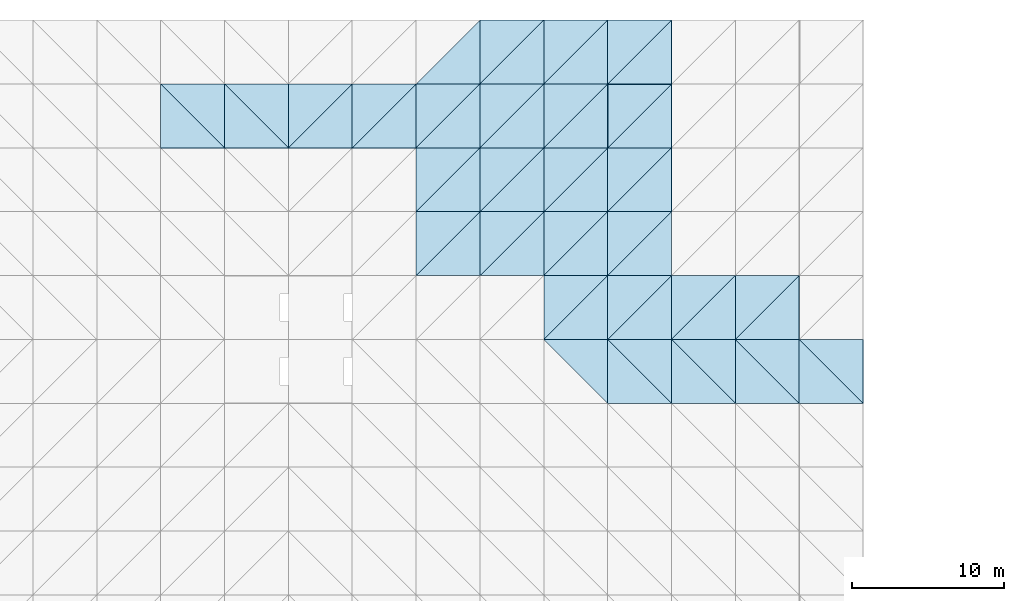
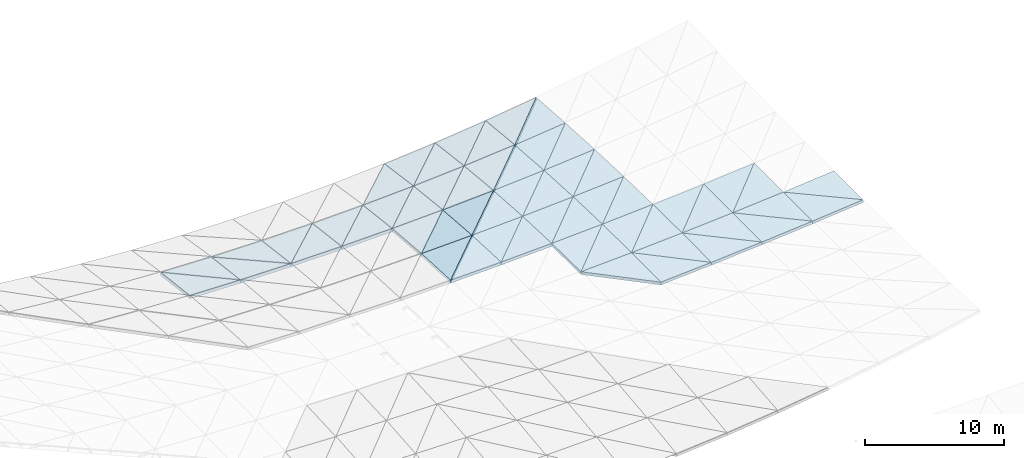
# One storey, part 28 of 64: 56 slabs.
"""IFC4 building model written with IfcOpenShell, lengths in metres."""

from ifc_helpers import new_model, si_unit, direction, frame, origin, place, context, subcontext, project, spatial, polyline, outline, extrude, material, layer, layer_set, type_object, element, save


model = new_model("IFC4")

# Units and contexts
model_context = context("Model", 3, precision=1e-05, world=origin(), true_north=direction((0.0, 1.0)))
body_context = subcontext(model_context, "Body", "Model", "MODEL_VIEW")
ifc_project = project(units=[si_unit("LENGTHUNIT", "METRE"), si_unit("AREAUNIT", "SQUARE_METRE"), si_unit("VOLUMEUNIT", "CUBIC_METRE"), si_unit("PLANEANGLEUNIT", "RADIAN"), si_unit("MASSUNIT", "GRAM", prefix="KILO")], contexts=[model_context])

# Site, building, storey
site_placement = place(None, origin())
site = spatial("IfcSite", under=ifc_project, at=site_placement, CompositionType="ELEMENT")
building_placement = place(site_placement, origin())
building = spatial("IfcBuilding", under=site, at=building_placement, Name="Cumbredor Promenade Congress Hotel", CompositionType="ELEMENT")
storey_placement = place(building_placement, frame((0.0, 0.0, 18.47998046875)))
storey = spatial("IfcBuildingStorey", under=building, at=storey_placement, Name="L05", CompositionType="ELEMENT", Elevation=18.47998046875)

# Slabs
ifc_material = material(Name="Concrete C40/50", Category="concrete")
ifc_layer = layer(ifc_material, 0.25, Name="Concrete C40/50", Category="concrete")
ifc_layer_set = layer_set([ifc_layer], Name="Concrete C40/50")
slab_type = type_object("IfcSlabType", Name="Catenary Space Frame Roof Deck 250mm", PredefinedType="ROOF", material=ifc_layer_set)
slab_1_placement = place(storey_placement, frame((126.0, 113.39990234375, 1.071533203125), z_axis=(0.024006185856, 0.1178889109, 0.992736575194), x_axis=(0.999707747746, 0.0, -0.024174761557)))
element("IfcSlab", 1, at=slab_1_placement, inside=storey, type_object=slab_type, Name="Pre-Function and Breakout Meeting Forum Sweeping Roof Deck Facet 10.9.1", PredefinedType="ROOF", context=body_context, shape_type="SweptSolid", body=[
    extrude(outline(polyline([(0.0, 0.0), (4.2011789758995555, 0.0), (0.01205787057144369, 4.22968982998699), (0.0, 0.0)])), origin(), (0.0, 0.0, -1.0), 0.25),
])
slab_2_placement = place(storey_placement, frame((130.199951171875, 113.39990234375, 0.969970703125), z_axis=(0.029866350979, 0.123667179737, 0.991874200559), x_axis=(0.0, 0.992316872086, -0.123722372159)))
element("IfcSlab", 2, at=slab_2_placement, inside=storey, type_object=slab_type, Name="Pre-Function and Breakout Meeting Forum Sweeping Roof Deck Facet 10.9.2", PredefinedType="ROOF", context=body_context, shape_type="SweptSolid", body=[
    extrude(outline(polyline([(0.0, 0.0), (4.232715809486229, 0.0), (4.217069279022748, 4.201825601916784), (0.0, 0.0)])), origin(), (0.0, 0.0, -1.0), 0.25),
])
slab_3_placement = place(storey_placement, frame((130.199951171875, 113.39990234375, 0.969970703125), z_axis=(0.008017648772, 0.123718395492, 0.992284977174), x_axis=(0.999967358511, 0.0, -0.008079722306)))
element("IfcSlab", 3, at=slab_3_placement, inside=storey, type_object=slab_type, Name="Pre-Function and Breakout Meeting Forum Sweeping Roof Deck Facet 11.9.1", PredefinedType="ROOF", context=body_context, shape_type="SweptSolid", body=[
    extrude(outline(polyline([(0.0, 0.0), (4.200088269010057, 0.0), (0.004231202233089078, 4.232713694641102), (0.0, 0.0)])), origin(), (0.0, 0.0, -1.0), 0.25),
])
slab_4_placement = place(storey_placement, frame((134.39990234375, 113.39990234375, 0.93603515625), z_axis=(0.009976184996, 0.125646494545, 0.992024916089), x_axis=(0.0, 0.99207428505, -0.12565274745)))
element("IfcSlab", 4, at=slab_4_placement, inside=storey, type_object=slab_type, Name="Pre-Function and Breakout Meeting Forum Sweeping Roof Deck Facet 11.9.2", PredefinedType="ROOF", context=body_context, shape_type="SweptSolid", body=[
    extrude(outline(polyline([(0.0, 0.0), (4.2337508146241865, 0.0), (4.228443703953093, 4.20016018600767), (0.0, 0.0)])), origin(), (0.0, 0.0, -1.0), 0.25),
])
slab_5_placement = place(storey_placement, frame((134.39990234375, 113.39990234375, 0.93603515625), z_axis=(-0.008017182768, 0.123718395954, 0.992284980882), x_axis=(0.999967362305, 0.0, 0.008079252695)))
element("IfcSlab", 5, at=slab_5_placement, inside=storey, type_object=slab_type, Name="Pre-Function and Breakout Meeting Forum Sweeping Roof Deck Facet 12.9.1", PredefinedType="ROOF", context=body_context, shape_type="SweptSolid", body=[
    extrude(outline(polyline([(0.0, 0.0), (4.200332401666406, 8.673617379884035e-19), (4.196101445360197, 4.232713694886935), (0.0, 0.0)])), origin(), (0.0, 0.0, -1.0), 0.25),
])
slab_6_placement = place(storey_placement, frame((134.39990234375, 113.39990234375, 0.93603515625), z_axis=(-0.009975605178, 0.125646495272, 0.992024921828), x_axis=(0.704715554985, 0.704715554985, -0.082170390799)))
element("IfcSlab", 6, at=slab_6_placement, inside=storey, type_object=slab_type, Name="Pre-Function and Breakout Meeting Forum Sweeping Roof Deck Facet 12.9.2", PredefinedType="ROOF", context=body_context, shape_type="SweptSolid", body=[
    extrude(outline(polyline([(0.0, 0.0), (5.960128569304301, -7.632783294297951e-17), (3.0036561741978596, 2.983738518626262), (0.0, 0.0)])), origin(), (0.0, 0.0, -1.0), 0.25),
])
slab_7_placement = place(storey_placement, frame((138.60009765625, 113.39990234375, 0.969970703125), z_axis=(-0.024006185856, 0.1178889109, 0.992736575194), x_axis=(0.999707747746, 0.0, 0.024174761557)))
element("IfcSlab", 7, at=slab_7_placement, inside=storey, type_object=slab_type, Name="Pre-Function and Breakout Meeting Forum Sweeping Roof Deck Facet 13.9.1", PredefinedType="ROOF", context=body_context, shape_type="SweptSolid", body=[
    extrude(outline(polyline([(0.0, 0.0), (4.2011789758995555, 0.0), (4.189121105328112, 4.229689829986991), (0.0, 0.0)])), origin(), (0.0, 0.0, -1.0), 0.25),
])
slab_8_placement = place(storey_placement, frame((138.60009765625, 113.39990234375, 0.969970703125), z_axis=(-0.029866350979, 0.123667179737, 0.991874200559), x_axis=(0.705510432924, 0.705551443819, -0.066724726755)))
element("IfcSlab", 8, at=slab_8_placement, inside=storey, type_object=slab_type, Name="Pre-Function and Breakout Meeting Forum Sweeping Roof Deck Facet 13.9.2", PredefinedType="ROOF", context=body_context, shape_type="SweptSolid", body=[
    extrude(outline(polyline([(0.0, 0.0), (5.953067418818705, -1.3877787807814457e-16), (2.9983963814339383, 2.9875579096778235), (0.0, 0.0)])), origin(), (0.0, 0.0, -1.0), 0.25),
])
slab_9_placement = place(storey_placement, frame((142.800048828125, 105.0, 1.641357421875), z_axis=(-0.028904949534, 0.046549738005, 0.998497684416), x_axis=(0.999581257099, 0.0, 0.028936317272)))
element("IfcSlab", 9, at=slab_9_placement, inside=storey, type_object=slab_type, Name="Pre-Function and Breakout Meeting Forum Sweeping Roof Deck Facet 14.7.1", PredefinedType="ROOF", context=body_context, shape_type="SweptSolid", body=[
    extrude(outline(polyline([(0.0, 0.0), (4.2017106083662, 0.0), (4.1960448548377896, 4.204508971486357), (0.0, 0.0)])), origin(), (0.0, 0.0, -1.0), 0.25),
])
slab_10_placement = place(storey_placement, frame((142.800048828125, 105.0, 1.641357421875), z_axis=(-0.033130835392, 0.050769668946, 0.998160702723), x_axis=(0.707051584508, 0.707051584508, -0.012494546398)))
element("IfcSlab", 10, at=slab_10_placement, inside=storey, type_object=slab_type, Name="Pre-Function and Breakout Meeting Forum Sweeping Roof Deck Facet 14.7.2", PredefinedType="ROOF", context=body_context, shape_type="SweptSolid", body=[
    extrude(outline(polyline([(0.0, 0.0), (5.940091591475668, 3.209238430557093e-17), (2.9722512540010153, 2.9750541399073294), (0.0, 0.0)])), origin(), (0.0, 0.0, -1.0), 0.25),
])
slab_11_placement = place(storey_placement, frame((142.800048828125, 109.199951171875, 1.427734375), z_axis=(-0.033073988966, 0.077442947893, 0.996448042336), x_axis=(0.999449604118, 0.0, 0.033173616459)))
element("IfcSlab", 11, at=slab_11_placement, inside=storey, type_object=slab_type, Name="Pre-Function and Breakout Meeting Forum Sweeping Roof Deck Facet 14.8.1", PredefinedType="ROOF", context=body_context, shape_type="SweptSolid", body=[
    extrude(outline(polyline([(0.0, 0.0), (4.202264080721415, 0.0), (4.191435681012863, 4.212602521856346), (0.0, 0.0)])), origin(), (0.0, 0.0, -1.0), 0.25),
])
slab_12_placement = place(storey_placement, frame((142.800048828125, 109.199951171875, 1.427734375), z_axis=(-0.04010727364, 0.084439411603, 0.995621108841), x_axis=(0.706756552738, 0.706756552738, -0.031469831971)))
element("IfcSlab", 12, at=slab_12_placement, inside=storey, type_object=slab_type, Name="Pre-Function and Breakout Meeting Forum Sweeping Roof Deck Facet 14.8.2", PredefinedType="ROOF", context=body_context, shape_type="SweptSolid", body=[
    extrude(outline(polyline([(0.0, 0.0), (5.9425712511688245, 8.326672684688674e-17), (2.9795526029283574, 2.9813982302540802), (0.0, 0.0)])), origin(), (0.0, 0.0, -1.0), 0.25),
])
slab_13_placement = place(storey_placement, frame((142.800048828125, 113.39990234375, 1.071533203125), z_axis=(-0.040015213479, 0.108086761186, 0.99333581167), x_axis=(0.999189599097, 0.0, 0.040251025529)))
element("IfcSlab", 13, at=slab_13_placement, inside=storey, type_object=slab_type, Name="Pre-Function and Breakout Meeting Forum Sweeping Roof Deck Facet 14.9.1", PredefinedType="ROOF", context=body_context, shape_type="SweptSolid", body=[
    extrude(outline(polyline([(0.0, 0.0), (4.203357576650233, 0.0), (4.184961600138961, 4.224947315017281), (0.0, 0.0)])), origin(), (0.0, 0.0, -1.0), 0.25),
])
slab_14_placement = place(storey_placement, frame((142.800048828125, 113.39990234375, 1.071533203125), z_axis=(-0.049811463518, 0.117776510165, 0.991790054273), x_axis=(0.706257443866, 0.706298498185, -0.048403041697)))
element("IfcSlab", 14, at=slab_14_placement, inside=storey, type_object=slab_type, Name="Pre-Function and Breakout Meeting Forum Sweeping Roof Deck Facet 14.9.2", PredefinedType="ROOF", context=body_context, shape_type="SweptSolid", body=[
    extrude(outline(polyline([(0.0, 0.0), (5.946770838809025, 5.273559366969494e-16), (2.99073407640598, 2.990974947130478), (0.0, 0.0)])), origin(), (0.0, 0.0, -1.0), 0.25),
])
slab_15_placement = place(storey_placement, frame((142.800048828125, 117.60009765625, 0.57275390625), z_axis=(-0.049677874102, 0.138396577503, 0.989130171494), x_axis=(0.998741166039, 0.0, 0.050160574752)))
element("IfcSlab", 15, at=slab_15_placement, inside=storey, type_object=slab_type, Name="Pre-Function and Breakout Meeting Forum Sweeping Roof Deck Facet 14.10.1", PredefinedType="ROOF", context=body_context, shape_type="SweptSolid", body=[
    extrude(outline(polyline([(0.0, 0.0), (4.205244876941228, 0.0), (4.175768191534024, 4.240760469744771), (0.0, 0.0)])), origin(), (0.0, 0.0, -1.0), 0.25),
])
slab_16_placement = place(storey_placement, frame((147.0, 105.0, 1.762939453125), z_axis=(-0.040507495707, 0.04062356303, 0.998353078284), x_axis=(0.999177877283, 0.0, 0.040540961364)))
element("IfcSlab", 16, at=slab_16_placement, inside=storey, type_object=slab_type, Name="Pre-Function and Breakout Meeting Forum Sweeping Roof Deck Facet 15.7.1", PredefinedType="ROOF", context=body_context, shape_type="SweptSolid", body=[
    extrude(outline(polyline([(0.0, 0.0), (4.203406888166709, 0.0), (4.196478501214868, 4.203421001937395), (0.0, 0.0)])), origin(), (0.0, 0.0, -1.0), 0.25),
])
slab_17_placement = place(storey_placement, frame((147.0, 105.0, 1.762939453125), z_axis=(-0.046403024338, 0.046519031899, 0.997839034616), x_axis=(0.707106778797, 0.707106778797, -8.220738e-05)))
element("IfcSlab", 17, at=slab_17_placement, inside=storey, type_object=slab_type, Name="Pre-Function and Breakout Meeting Forum Sweeping Roof Deck Facet 15.7.2", PredefinedType="ROOF", context=body_context, shape_type="SweptSolid", body=[
    extrude(outline(polyline([(0.0, 0.0), (5.93962792864056, -2.3489240066898454e-16), (2.969830040519341, 2.976245507766653), (0.0, 0.0)])), origin(), (0.0, 0.0, -1.0), 0.25),
])
slab_18_placement = place(storey_placement, frame((147.0, 109.199951171875, 1.567138671875), z_axis=(-0.046347025276, 0.067608723121, 0.996634844768), x_axis=(0.998920462084, 0.0, 0.046453314519)))
element("IfcSlab", 18, at=slab_18_placement, inside=storey, type_object=slab_type, Name="Pre-Function and Breakout Meeting Forum Sweeping Roof Deck Facet 15.8.1", PredefinedType="ROOF", context=body_context, shape_type="SweptSolid", body=[
    extrude(outline(polyline([(0.0, 0.0), (4.204490078331787, 0.0), (4.19125496650477, 4.209583065817521), (0.0, 0.0)])), origin(), (0.0, 0.0, -1.0), 0.25),
])
slab_19_placement = place(storey_placement, frame((147.0, 109.199951171875, 1.567138671875), z_axis=(-0.05612737267, 0.077363193051, 0.995421847459), x_axis=(0.707026340708, 0.707026340708, -0.015083338199)))
element("IfcSlab", 19, at=slab_19_placement, inside=storey, type_object=slab_type, Name="Pre-Function and Breakout Meeting Forum Sweeping Roof Deck Facet 15.8.2", PredefinedType="ROOF", context=body_context, shape_type="SweptSolid", body=[
    extrude(outline(polyline([(0.0, 0.0), (5.940303677613505, -9.8879238130678e-17), (2.974399551358681, 2.983133347718128), (0.0, 0.0)])), origin(), (0.0, 0.0, -1.0), 0.25),
])
slab_20_placement = place(storey_placement, frame((147.0, 113.39990234375, 1.24072265625), z_axis=(-0.056044980003, 0.094346528421, 0.993960609276), x_axis=(0.998414117425, 0.0, 0.05629609335)))
element("IfcSlab", 20, at=slab_20_placement, inside=storey, type_object=slab_type, Name="Pre-Function and Breakout Meeting Forum Sweeping Roof Deck Facet 15.9.1", PredefinedType="ROOF", context=body_context, shape_type="SweptSolid", body=[
    extrude(outline(polyline([(0.0, 0.0), (4.206622381008706, 0.0), (4.184178162151099, 4.219014573423311), (0.0, 0.0)])), origin(), (0.0, 0.0, -1.0), 0.25),
])
slab_21_placement = place(storey_placement, frame((147.0, 113.39990234375, 1.24072265625), z_axis=(-0.069696153206, 0.107910351556, 0.991714577011), x_axis=(0.706823829527, 0.706864916769, -0.027240841654)))
element("IfcSlab", 21, at=slab_21_placement, inside=storey, type_object=slab_type, Name="Pre-Function and Breakout Meeting Forum Sweeping Roof Deck Facet 15.9.2", PredefinedType="ROOF", context=body_context, shape_type="SweptSolid", body=[
    extrude(outline(polyline([(0.0, 0.0), (5.942005626333623, -3.95516952522712e-16), (2.981420625896636, 2.9936013893138225), (0.0, 0.0)])), origin(), (0.0, 0.0, -1.0), 0.25),
])
slab_22_placement = place(storey_placement, frame((147.0, 117.60009765625, 0.78369140625), z_axis=(-0.069591947632, 0.120821751926, 0.990231823911), x_axis=(0.997539580824, 0.0, 0.070105525386)))
element("IfcSlab", 22, at=slab_22_placement, inside=storey, type_object=slab_type, Name="Pre-Function and Breakout Meeting Forum Sweeping Roof Deck Facet 15.10.1", PredefinedType="ROOF", context=body_context, shape_type="SweptSolid", body=[
    extrude(outline(polyline([(0.0, 0.0), (4.210310300074583, 0.0), (4.1743846414355925, 4.2309461585727615), (0.0, 0.0)])), origin(), (0.0, 0.0, -1.0), 0.25),
])
slab_23_placement = place(storey_placement, frame((147.0, 117.60009765625, 0.78369140625), z_axis=(-0.087000458678, 0.138042257112, 0.986597818486), x_axis=(0.70663410795, 0.70663410795, -0.036557830383)))
element("IfcSlab", 23, at=slab_23_placement, inside=storey, type_object=slab_type, Name="Pre-Function and Breakout Meeting Forum Sweeping Roof Deck Facet 15.10.2", PredefinedType="ROOF", context=body_context, shape_type="SweptSolid", body=[
    extrude(outline(polyline([(0.0, 0.0), (5.943600973433106, -6.938893903907228e-17), (2.9893118302739543, 3.0081444476814383), (0.0, 0.0)])), origin(), (0.0, 0.0, -1.0), 0.25),
])
slab_24_placement = place(storey_placement, frame((155.39990234375, 96.60009765625, 2.15234375), z_axis=(-0.04952055146, -0.01097231445, 0.99871283325), x_axis=(0.0, 0.999939654357, 0.010985792866)))
element("IfcSlab", 24, at=slab_24_placement, inside=storey, type_object=slab_type, Name="Pre-Function and Breakout Meeting Forum Sweeping Roof Deck Facet 16.5.2", PredefinedType="ROOF", context=body_context, shape_type="SweptSolid", body=[
    extrude(outline(polyline([(0.0, 0.0), (4.200204635925518, 4.336808689942018e-19), (4.197916823104551, 4.205110401407681), (0.0, 0.0)])), origin(), (0.0, 0.0, -1.0), 0.25),
])
slab_25_placement = place(storey_placement, frame((151.199951171875, 100.800048828125, 1.990234375), z_axis=(-0.04952055146, 0.01097231445, 0.99871283325), x_axis=(0.998772957039, 0.0, 0.04952353266)))
element("IfcSlab", 25, at=slab_25_placement, inside=storey, type_object=slab_type, Name="Pre-Function and Breakout Meeting Forum Sweeping Roof Deck Facet 16.6.1", PredefinedType="ROOF", context=body_context, shape_type="SweptSolid", body=[
    extrude(outline(polyline([(0.0, 0.0), (4.205111023756039, 4.336808689942018e-19), (4.202825880281237, 4.200204014303295), (0.0, 0.0)])), origin(), (0.0, 0.0, -1.0), 0.25),
])
slab_26_placement = place(storey_placement, frame((151.199951171875, 100.800048828125, 1.990234375), z_axis=(-0.052066568165, 0.013524537773, 0.998552031372), x_axis=(0.706843566423, 0.706843566423, 0.0272826907)))
element("IfcSlab", 26, at=slab_26_placement, inside=storey, type_object=slab_type, Name="Pre-Function and Breakout Meeting Forum Sweeping Roof Deck Facet 16.6.2", PredefinedType="ROOF", context=body_context, shape_type="SweptSolid", body=[
    extrude(outline(polyline([(0.0, 0.0), (5.941839710201822, 5.412337245047638e-16), (2.9671564956660306, 2.973013295113442), (0.0, 0.0)])), origin(), (0.0, 0.0, -1.0), 0.25),
])
slab_27_placement = place(storey_placement, frame((151.199951171875, 105.0, 1.933349609375), z_axis=(-0.052042948158, 0.033012750838, 0.998099038086), x_axis=(0.998643368037, 0.0, 0.052071330648)))
element("IfcSlab", 27, at=slab_27_placement, inside=storey, type_object=slab_type, Name="Pre-Function and Breakout Meeting Forum Sweeping Roof Deck Facet 16.7.1", PredefinedType="ROOF", context=body_context, shape_type="SweptSolid", body=[
    extrude(outline(polyline([(0.0, 0.0), (4.205656700179208, 8.673617379884035e-19), (4.198423158397363, 4.202241685268068), (0.0, 0.0)])), origin(), (0.0, 0.0, -1.0), 0.25),
])
slab_28_placement = place(storey_placement, frame((151.199951171875, 105.0, 1.933349609375), z_axis=(-0.05960146488, 0.040584655074, 0.997396887481), x_axis=(0.707042526454, 0.707042526454, 0.013480785251)))
element("IfcSlab", 28, at=slab_28_placement, inside=storey, type_object=slab_type, Name="Pre-Function and Breakout Meeting Forum Sweeping Roof Deck Facet 16.7.2", PredefinedType="ROOF", context=body_context, shape_type="SweptSolid", body=[
    extrude(outline(polyline([(0.0, 0.0), (5.940167691098619, -3.9898639947466563e-16), (2.967240242410378, 2.9772943196624904), (0.0, 0.0)])), origin(), (0.0, 0.0, -1.0), 0.25),
])
slab_29_placement = place(storey_placement, frame((151.199951171875, 109.199951171875, 1.762451171875), z_axis=(-0.059560754984, 0.054867738297, 0.996715630338), x_axis=(0.998219316899, 0.0, 0.05965061081)))
element("IfcSlab", 29, at=slab_29_placement, inside=storey, type_object=slab_type, Name="Pre-Function and Breakout Meeting Forum Sweeping Roof Deck Facet 16.8.1", PredefinedType="ROOF", context=body_context, shape_type="SweptSolid", body=[
    extrude(outline(polyline([(0.0, 0.0), (4.207443295049679, 0.0), (4.193652003927246, 4.20628739249944), (0.0, 0.0)])), origin(), (0.0, 0.0, -1.0), 0.25),
])
slab_30_placement = place(storey_placement, frame((151.199951171875, 109.199951171875, 1.762451171875), z_axis=(-0.07219029204, 0.067504864432, 0.995103841322), x_axis=(0.707102862116, 0.707102862116, 0.003329380447)))
element("IfcSlab", 30, at=slab_30_placement, inside=storey, type_object=slab_type, Name="Pre-Function and Breakout Meeting Forum Sweeping Roof Deck Facet 16.8.2", PredefinedType="ROOF", context=body_context, shape_type="SweptSolid", body=[
    extrude(outline(polyline([(0.0, 0.0), (5.939660828561067, 2.398255205537936e-16), (2.9688489135749987, 2.9844096375275373), (0.0, 0.0)])), origin(), (0.0, 0.0, -1.0), 0.25),
])
slab_31_placement = place(storey_placement, frame((151.199951171875, 113.39990234375, 1.4775390625), z_axis=(-0.072142490586, 0.076646940808, 0.994444924326), x_axis=(0.997378917455, 0.0, 0.072355338545)))
element("IfcSlab", 31, at=slab_31_placement, inside=storey, type_object=slab_type, Name="Pre-Function and Breakout Meeting Forum Sweeping Roof Deck Facet 16.9.1", PredefinedType="ROOF", context=body_context, shape_type="SweptSolid", body=[
    extrude(outline(polyline([(0.0, 0.0), (4.210988520382172, 3.469446951953614e-18), (4.187564892718539, 4.212587496208376), (0.0, 0.0)])), origin(), (0.0, 0.0, -1.0), 0.25),
])
slab_32_placement = place(storey_placement, frame((151.199951171875, 113.39990234375, 1.4775390625), z_axis=(-0.089624599077, 0.094114767296, 0.991518956862), x_axis=(0.70708259581, 0.707123698094, -0.003205978171)))
element("IfcSlab", 32, at=slab_32_placement, inside=storey, type_object=slab_type, Name="Pre-Function and Breakout Meeting Forum Sweeping Roof Deck Facet 16.9.2", PredefinedType="ROOF", context=body_context, shape_type="SweptSolid", body=[
    extrude(outline(polyline([(0.0, 0.0), (5.939831070320096, 2.0122792321330962e-16), (2.971335806730188, 2.995288172674122), (0.0, 0.0)])), origin(), (0.0, 0.0, -1.0), 0.25),
])
slab_33_placement = place(storey_placement, frame((151.199951171875, 117.60009765625, 1.078857421875), z_axis=(-0.089588796915, 0.098230803049, 0.991122876741), x_axis=(0.995939579594, 0.0, 0.090024184518)))
element("IfcSlab", 33, at=slab_33_placement, inside=storey, type_object=slab_type, Name="Pre-Function and Breakout Meeting Forum Sweeping Roof Deck Facet 16.10.1", PredefinedType="ROOF", context=body_context, shape_type="SweptSolid", body=[
    extrude(outline(polyline([(0.0, 0.0), (4.21707426627955, 6.938893903907228e-18), (4.179600820331373, 4.220362280594064), (0.0, 0.0)])), origin(), (0.0, 0.0, -1.0), 0.25),
])
slab_34_placement = place(storey_placement, frame((151.199951171875, 117.60009765625, 1.078857421875), z_axis=(-0.111755687436, 0.120356689547, 0.986420262164), x_axis=(0.707093341573, 0.707093341573, -0.006165436333)))
element("IfcSlab", 34, at=slab_34_placement, inside=storey, type_object=slab_type, Name="Pre-Function and Breakout Meeting Forum Sweeping Roof Deck Facet 16.10.2", PredefinedType="ROOF", context=body_context, shape_type="SweptSolid", body=[
    extrude(outline(polyline([(0.0, 0.0), (5.939740802154233, 4.510281037539698e-16), (2.9729169936400863, 3.010641227150163), (0.0, 0.0)])), origin(), (0.0, 0.0, -1.0), 0.25),
])
slab_35_placement = place(storey_placement, frame((155.39990234375, 96.60009765625, 2.15234375), z_axis=(-0.063573411273, -0.010963570417, 0.997916941184), x_axis=(0.997976921338, 0.0, 0.063577232375)))
element("IfcSlab", 35, at=slab_35_placement, inside=storey, type_object=slab_type, Name="Pre-Function and Breakout Meeting Forum Sweeping Roof Deck Facet 17.5.1", PredefinedType="ROOF", context=body_context, shape_type="SweptSolid", body=[
    extrude(outline(polyline([(0.0, 0.0), (4.208709863619194, 4.336808689942018e-19), (0.002933617411853662, 4.200203611438272), (0.0, 0.0)])), origin(), (0.0, 0.0, -1.0), 0.25),
])
slab_36_placement = place(storey_placement, frame((159.60009765625, 96.60009765625, 2.419921875), z_axis=(-0.06051244543, -0.007890863821, 0.99813625233), x_axis=(0.0, 0.999968752226, 0.007905350829)))
element("IfcSlab", 36, at=slab_36_placement, inside=storey, type_object=slab_type, Name="Pre-Function and Breakout Meeting Forum Sweeping Roof Deck Facet 17.5.2", PredefinedType="ROOF", context=body_context, shape_type="SweptSolid", body=[
    extrude(outline(polyline([(0.0, 0.0), (4.200082415101393, 4.336808689942018e-19), (4.198069407065717, 4.2079065417568255), (0.0, 0.0)])), origin(), (0.0, 0.0, -1.0), 0.25),
])
slab_37_placement = place(storey_placement, frame((155.39990234375, 100.800048828125, 2.198486328125), z_axis=(-0.06051244543, 0.007890863821, 0.99813625233), x_axis=(0.998167328624, 0.0, 0.060514329444)))
element("IfcSlab", 37, at=slab_37_placement, inside=storey, type_object=slab_type, Name="Pre-Function and Breakout Meeting Forum Sweeping Roof Deck Facet 17.6.1", PredefinedType="ROOF", context=body_context, shape_type="SweptSolid", body=[
    extrude(outline(polyline([(0.0, 0.0), (4.207907023255295, 0.0), (4.205897758410475, 4.200081934498271), (0.0, 0.0)])), origin(), (0.0, 0.0, -1.0), 0.25),
])
slab_38_placement = place(storey_placement, frame((155.39990234375, 100.800048828125, 2.198486328125), z_axis=(-0.063573411273, 0.010963570417, 0.997916941184), x_axis=(0.70663646248, 0.706595388517, 0.037254084601)))
element("IfcSlab", 38, at=slab_38_placement, inside=storey, type_object=slab_type, Name="Pre-Function and Breakout Meeting Forum Sweeping Roof Deck Facet 17.6.2", PredefinedType="ROOF", context=body_context, shape_type="SweptSolid", body=[
    extrude(outline(polyline([(0.0, 0.0), (5.943926665992859, -6.938893903907228e-17), (2.9659471305351452, 2.9740337258545924), (0.0, 0.0)])), origin(), (0.0, 0.0, -1.0), 0.25),
])
slab_39_placement = place(storey_placement, frame((155.39990234375, 105.0, 2.15234375), z_axis=(-0.063559431468, 0.023662185643, 0.997697499066), x_axis=(0.997976921338, 0.0, 0.063577232375)))
element("IfcSlab", 39, at=slab_39_placement, inside=storey, type_object=slab_type, Name="Pre-Function and Breakout Meeting Forum Sweeping Roof Deck Facet 17.7.1", PredefinedType="ROOF", context=body_context, shape_type="SweptSolid", body=[
    extrude(outline(polyline([(0.0, 0.0), (4.208709863619194, -1.734723475976807e-18), (4.2023769752380495, 4.201127440133997), (0.0, 0.0)])), origin(), (0.0, 0.0, -1.0), 0.25),
])
slab_40_placement = place(storey_placement, frame((155.39990234375, 105.0, 2.15234375), z_axis=(-0.072830541361, 0.03296975891, 0.996799231161), x_axis=(0.706844765741, 0.70680367967, 0.028267216858)))
element("IfcSlab", 40, at=slab_40_placement, inside=storey, type_object=slab_type, Name="Pre-Function and Breakout Meeting Forum Sweeping Roof Deck Facet 17.7.2", PredefinedType="ROOF", context=body_context, shape_type="SweptSolid", body=[
    extrude(outline(polyline([(0.0, 0.0), (5.942175023529493, -7.112366251504909e-17), (2.964614173577656, 2.9782461797765785), (0.0, 0.0)])), origin(), (0.0, 0.0, -1.0), 0.25),
])
slab_41_placement = place(storey_placement, frame((155.39990234375, 109.199951171875, 2.013427734375), z_axis=(-0.072813763069, 0.03933446227, 0.996569594151), x_axis=(0.997341436111, 0.0, 0.072870157242)))
element("IfcSlab", 41, at=slab_41_placement, inside=storey, type_object=slab_type, Name="Pre-Function and Breakout Meeting Forum Sweeping Roof Deck Facet 17.8.1", PredefinedType="ROOF", context=body_context, shape_type="SweptSolid", body=[
    extrude(outline(polyline([(0.0, 0.0), (4.211391566040812, -1.734723475976807e-18), (4.199311771908167, 4.203204029040203), (0.0, 0.0)])), origin(), (0.0, 0.0, -1.0), 0.25),
])
slab_42_placement = place(storey_placement, frame((155.39990234375, 109.199951171875, 2.013427734375), z_axis=(-0.08816352319, 0.054751285072, 0.994600165877), x_axis=(0.706927862913, 0.706886772012, 0.023750540849)))
element("IfcSlab", 42, at=slab_42_placement, inside=storey, type_object=slab_type, Name="Pre-Function and Breakout Meeting Forum Sweeping Roof Deck Facet 17.8.2", PredefinedType="ROOF", context=body_context, shape_type="SweptSolid", body=[
    extrude(outline(polyline([(0.0, 0.0), (5.941476539331473, -4.527628272299467e-16), (2.9633987736191867, 2.9851819938695288), (0.0, 0.0)])), origin(), (0.0, 0.0, -1.0), 0.25),
])
slab_43_placement = place(storey_placement, frame((155.39990234375, 113.39990234375, 1.7822265625), z_axis=(-0.088162700097, 0.05492102629, 0.994590880304), x_axis=(0.996094283967, 0.0, 0.088295965069)))
element("IfcSlab", 43, at=slab_43_placement, inside=storey, type_object=slab_type, Name="Pre-Function and Breakout Meeting Forum Sweeping Roof Deck Facet 17.9.1", PredefinedType="ROOF", context=body_context, shape_type="SweptSolid", body=[
    extrude(outline(polyline([(0.0, 0.0), (4.216664406275741, 0.0), (4.1961856057836195, 4.206544243650264), (0.0, 0.0)])), origin(), (0.0, 0.0, -1.0), 0.25),
])
slab_44_placement = place(storey_placement, frame((155.39990234375, 113.39990234375, 1.7822265625), z_axis=(-0.109508225143, 0.076385011331, 0.991046557267), x_axis=(0.706909393547, 0.706909393547, 0.023626650854)))
element("IfcSlab", 44, at=slab_44_placement, inside=storey, type_object=slab_type, Name="Pre-Function and Breakout Meeting Forum Sweeping Roof Deck Facet 17.9.2", PredefinedType="ROOF", context=body_context, shape_type="SweptSolid", body=[
    extrude(outline(polyline([(0.0, 0.0), (5.941631771826054, 1.1796119636642288e-16), (2.961508854381614, 2.995981873270158), (0.0, 0.0)])), origin(), (0.0, 0.0, -1.0), 0.25),
])
slab_45_placement = place(storey_placement, frame((155.39990234375, 117.60009765625, 1.45849609375), z_axis=(-0.109555928507, 0.070486422484, 0.991478271458), x_axis=(0.993950485848, 0.0, 0.109829102162)))
element("IfcSlab", 45, at=slab_45_placement, inside=storey, type_object=slab_type, Name="Pre-Function and Breakout Meeting Forum Sweeping Roof Deck Facet 17.10.1", PredefinedType="ROOF", context=body_context, shape_type="SweptSolid", body=[
    extrude(outline(polyline([(0.0, 0.0), (4.225759101988769, -6.938893903907228e-18), (4.192965891064862, 4.21042359474397), (0.0, 0.0)])), origin(), (0.0, 0.0, -1.0), 0.25),
])
slab_46_placement = place(storey_placement, frame((155.39990234375, 117.60009765625, 1.45849609375), z_axis=(-0.136547890512, 0.097703603302, 0.985803570443), x_axis=(0.706852915439, 0.706811828894, 0.027856677323)))
element("IfcSlab", 46, at=slab_46_placement, inside=storey, type_object=slab_type, Name="Pre-Function and Breakout Meeting Forum Sweeping Roof Deck Facet 17.10.2", PredefinedType="ROOF", context=body_context, shape_type="SweptSolid", body=[
    extrude(outline(polyline([(0.0, 0.0), (5.942106512913589, 3.365363543395006e-16), (2.9569795550845583, 3.011500282155771), (0.0, 0.0)])), origin(), (0.0, 0.0, -1.0), 0.25),
])
slab_47_placement = place(storey_placement, frame((159.60009765625, 96.60009765625, 2.419921875), z_axis=(-0.07512048615, -0.007883013979, 0.997143304972), x_axis=(0.997174288611, 0.0, 0.075122820324)))
element("IfcSlab", 47, at=slab_47_placement, inside=storey, type_object=slab_type, Name="Pre-Function and Breakout Meeting Forum Sweeping Roof Deck Facet 18.5.1", PredefinedType="ROOF", context=body_context, shape_type="SweptSolid", body=[
    extrude(outline(polyline([(0.0, 0.0), (4.2118526518829285, -4.336808689942018e-19), (0.002494312393581633, 4.200081674449872), (0.0, 0.0)])), origin(), (0.0, 0.0, -1.0), 0.25),
])
slab_48_placement = place(storey_placement, frame((163.800048828125, 96.60009765625, 2.736328125), z_axis=(-0.071431847476, -0.004174588489, 0.997436746855), x_axis=(0.0, 0.999991241678, 0.004185279858)))
element("IfcSlab", 48, at=slab_48_placement, inside=storey, type_object=slab_type, Name="Pre-Function and Breakout Meeting Forum Sweeping Roof Deck Facet 18.5.2", PredefinedType="ROOF", context=body_context, shape_type="SweptSolid", body=[
    extrude(outline(polyline([(0.0, 0.0), (4.199987956722341, 2.168404344971009e-19), (4.198729103014988, 4.210707496582146), (0.0, 0.0)])), origin(), (0.0, 0.0, -1.0), 0.25),
])
slab_49_placement = place(storey_placement, frame((159.60009765625, 100.800048828125, 2.453125), z_axis=(-0.071431847476, 0.004174588489, 0.997436746855), x_axis=(0.997445438228, 0.0, 0.071432469912)))
element("IfcSlab", 49, at=slab_49_placement, inside=storey, type_object=slab_type, Name="Pre-Function and Breakout Meeting Forum Sweeping Roof Deck Facet 18.6.1", PredefinedType="ROOF", context=body_context, shape_type="SweptSolid", body=[
    extrude(outline(polyline([(0.0, 0.0), (4.210707684758674, 0.0), (4.209452035873501, 4.1999877690248795), (0.0, 0.0)])), origin(), (0.0, 0.0, -1.0), 0.25),
])
slab_50_placement = place(storey_placement, frame((159.60009765625, 100.800048828125, 2.453125), z_axis=(-0.07512048615, 0.007883013979, 0.997143304972), x_axis=(0.706304377557, 0.706304377557, 0.047626174386)))
element("IfcSlab", 50, at=slab_50_placement, inside=storey, type_object=slab_type, Name="Pre-Function and Breakout Meeting Forum Sweeping Roof Deck Facet 18.6.2", PredefinedType="ROOF", context=body_context, shape_type="SweptSolid", body=[
    extrude(outline(polyline([(0.0, 0.0), (5.94637567786279, 1.3183898417423734e-16), (2.964862560400987, 2.9749424013880432), (0.0, 0.0)])), origin(), (0.0, 0.0, -1.0), 0.25),
])
slab_51_placement = place(storey_placement, frame((163.800048828125, 96.60009765625, 2.736328125), z_axis=(-0.086576385093, -0.004169565035, 0.996236490133), x_axis=(0.996245150167, 0.0, 0.086577137679)))
element("IfcSlab", 51, at=slab_51_placement, inside=storey, type_object=slab_type, Name="Pre-Function and Breakout Meeting Forum Sweeping Roof Deck Facet 19.5.1", PredefinedType="ROOF", context=body_context, shape_type="SweptSolid", body=[
    extrude(outline(polyline([(0.0, 0.0), (4.215780795691743, 0.0), (0.0015218637482716437, 4.199987680999009), (0.0, 0.0)])), origin(), (0.0, 0.0, -1.0), 0.25),
])
slab_52_placement = place(storey_placement, frame((168.0, 96.60009765625, 3.101318359375), z_axis=(-0.082379045472, 5.7931818e-05, 0.996601068387), x_axis=(0.0, 0.99999999831, -5.8129396e-05)))
element("IfcSlab", 52, at=slab_52_placement, inside=storey, type_object=slab_type, Name="Pre-Function and Breakout Meeting Forum Sweeping Roof Deck Facet 19.5.2", PredefinedType="ROOF", context=body_context, shape_type="SweptSolid", body=[
    extrude(outline(polyline([(0.0, 0.0), (4.199951178970874, -3.3881317890172014e-21), (4.199971359635186, 4.214275197973303), (0.0, 0.0)])), origin(), (0.0, 0.0, -1.0), 0.25),
])
slab_53_placement = place(storey_placement, frame((163.800048828125, 100.800048828125, 2.75390625), z_axis=(-0.082379045472, -5.7931818e-05, 0.996601068387), x_axis=(0.99660107006, 0.0, 0.08237904561)))
element("IfcSlab", 53, at=slab_53_placement, inside=storey, type_object=slab_type, Name="Pre-Function and Breakout Meeting Forum Sweeping Roof Deck Facet 19.6.1", PredefinedType="ROOF", context=body_context, shape_type="SweptSolid", body=[
    extrude(outline(polyline([(0.0, 0.0), (4.214275198021623, -3.3881317890172014e-21), (4.214295310093305, 4.19995117892272), (0.0, 0.0)])), origin(), (0.0, 0.0, -1.0), 0.25),
])
slab_54_placement = place(storey_placement, frame((163.800048828125, 100.800048828125, 2.75390625), z_axis=(-0.086576385093, 0.004169565035, 0.996236490133), x_axis=(0.705900318658, 0.705900318658, 0.05839075472)))
element("IfcSlab", 54, at=slab_54_placement, inside=storey, type_object=slab_type, Name="Pre-Function and Breakout Meeting Forum Sweeping Roof Deck Facet 19.6.2", PredefinedType="ROOF", context=body_context, shape_type="SweptSolid", body=[
    extrude(outline(polyline([(0.0, 0.0), (5.949779396415364, 3.8510861166685117e-16), (2.9637204705897067, 2.9759468760077414), (0.0, 0.0)])), origin(), (0.0, 0.0, -1.0), 0.25),
])
slab_55_placement = place(storey_placement, frame((168.0, 96.60009765625, 3.101318359375), z_axis=(-0.09799722413, 5.7849601e-05, 0.995186686364), x_axis=(0.995186688029, 0.0, 0.097997224294)))
element("IfcSlab", 55, at=slab_55_placement, inside=storey, type_object=slab_type, Name="Pre-Function and Breakout Meeting Forum Sweeping Roof Deck Facet 20.5.1", PredefinedType="ROOF", context=body_context, shape_type="SweptSolid", body=[
    extrude(outline(polyline([(0.0, 0.0), (4.2202646221, 0.0), (-2.392510358728856e-05, 4.1999511789027295), (0.0, 0.0)])), origin(), (0.0, 0.0, -1.0), 0.25),
])
slab_56_placement = place(storey_placement, frame((172.199951171875, 96.60009765625, 3.514892578125), z_axis=(-0.093237412623, 0.004861541068, 0.995632035596), x_axis=(0.0, 0.999988079007, -0.004882811058)))
element("IfcSlab", 56, at=slab_56_placement, inside=storey, type_object=slab_type, Name="Pre-Function and Breakout Meeting Forum Sweeping Roof Deck Facet 20.5.2", PredefinedType="ROOF", context=body_context, shape_type="SweptSolid", body=[
    extrude(outline(polyline([(0.0, 0.0), (4.200001240060259, -2.168404344971009e-19), (4.201921701147902, 4.218326604738721), (0.0, 0.0)])), origin(), (0.0, 0.0, -1.0), 0.25),
])

save(model, "model.ifc")
